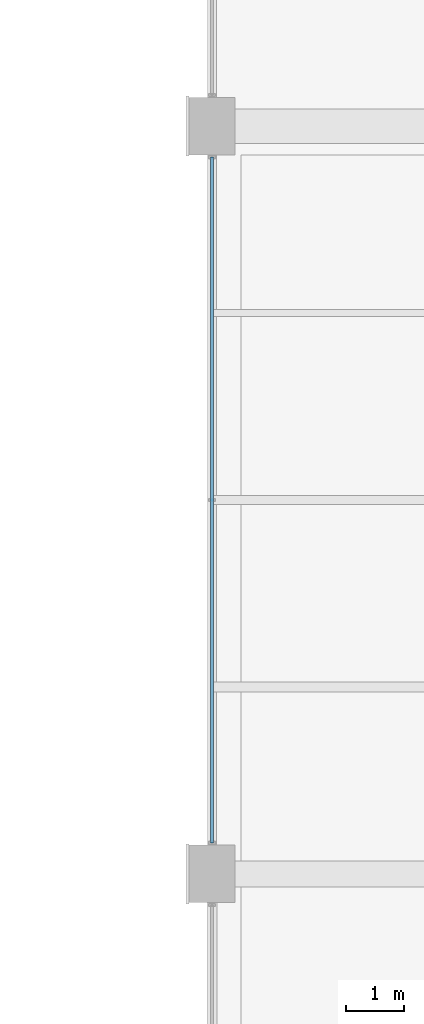
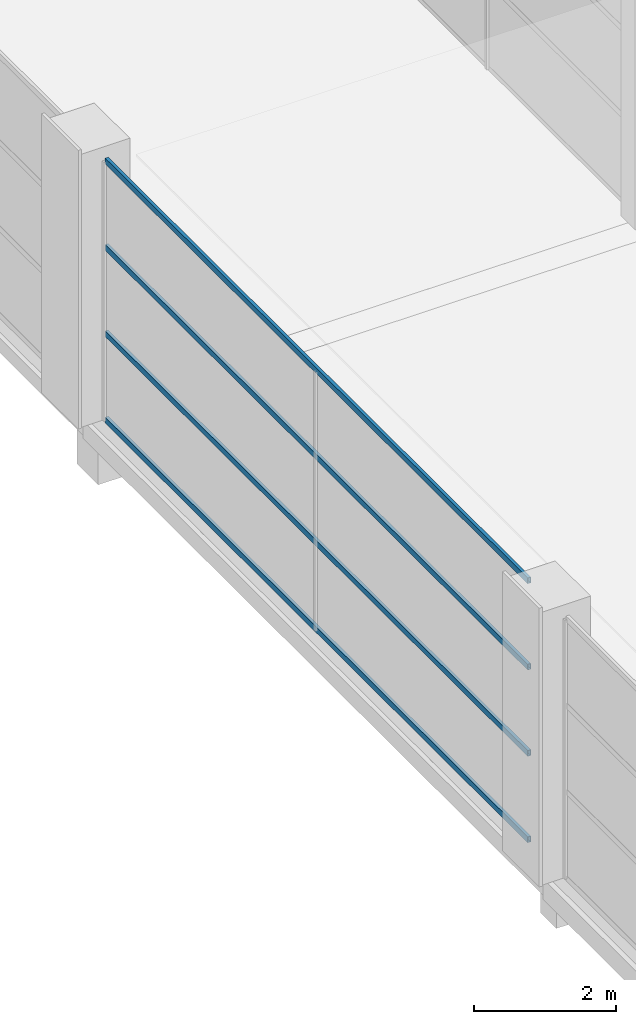
# One storey, part 52 of 112: 4 members, 1 element without a shape of its own.
"""IFC4 building model written with IfcOpenShell, lengths in metres."""

from ifc_helpers import new_model, si_unit, direction, frame, origin, origin_2d, place, context, subcontext, project, spatial, hollow_rectangle, extrude, material, material_profile, profile_set, type_object, element, aggregate, save


model = new_model("IFC4")

# Units and contexts
model_context = context("Model", 3, precision=1e-05, world=origin(), true_north=direction((0.0, 1.0)))
body_context = subcontext(model_context, "Body", "Model", "MODEL_VIEW")
ifc_project = project(units=[si_unit("LENGTHUNIT", "METRE"), si_unit("AREAUNIT", "SQUARE_METRE"), si_unit("VOLUMEUNIT", "CUBIC_METRE"), si_unit("PLANEANGLEUNIT", "RADIAN"), si_unit("MASSUNIT", "GRAM", prefix="KILO")], contexts=[model_context])

# Site, building, storey
site_placement = place(None, origin())
site = spatial("IfcSite", under=ifc_project, at=site_placement, CompositionType="ELEMENT")
building_placement = place(site_placement, origin())
building = spatial("IfcBuilding", under=site, at=building_placement, Name="Solvikara Media Centre", CompositionType="ELEMENT")
storey_placement = place(building_placement, frame((0.0, 0.0, 5.39990234375)))
storey = spatial("IfcBuildingStorey", under=building, at=storey_placement, Name="L01", CompositionType="ELEMENT", Elevation=5.39990234375)

# Curtain wall, members
ifc_material = material(Name="Anodised aluminium EN AW-6063", Category="aluminium")
curtain_wall_type = type_object("IfcCurtainWallType", Name="CW-12", PredefinedType="NOTDEFINED", material=ifc_material)
curtain_wall_placement = place(storey_placement, origin())
curtain_wall = element("IfcCurtainWall", 1, at=curtain_wall_placement, inside=storey, type_object=curtain_wall_type, Name="CW-L01-V2W-S2", PredefinedType="NOTDEFINED")
ifc_material_profile = material_profile(ifc_material, hollow_rectangle(XDim=0.050048828125, YDim=0.10009765625, WallThickness=0.0029296875, at=origin_2d()), Name="ALU-T 50x100x3")
ifc_profile_set = profile_set([ifc_material_profile], Name="Anodised aluminium EN AW-6063")
member_type = type_object("IfcMemberType", Name="MF-12", PredefinedType="USERDEFINED", material=ifc_profile_set)
member_1_placement = place(storey_placement, frame((127.5, 59.5400390625, 0.02001953125), z_axis=(0.0, 1.0, 0.0), x_axis=(-1.0, 0.0, 0.0)))
member_1 = element("IfcMember", 2, at=member_1_placement, type_object=member_type, Name="CW-L01-V2W-S2-T00", ObjectType="TRANSOM", PredefinedType="USERDEFINED", context=body_context, shape_type="SweptSolid", body=[
    extrude(hollow_rectangle(XDim=0.050048828125, YDim=0.10009765625, WallThickness=0.0029296875, at=origin_2d()), origin(), (0.0, 0.0, 1.0), 11.919921875),
])
member_2_placement = place(storey_placement, frame((127.5, 59.5400390625, 1.507080078125), z_axis=(0.0, 1.0, 0.0), x_axis=(-1.0, 0.0, 0.0)))
member_2 = element("IfcMember", 3, at=member_2_placement, type_object=member_type, Name="CW-L01-V2W-S2-T01", ObjectType="TRANSOM", PredefinedType="USERDEFINED", context=body_context, shape_type="SweptSolid", body=[
    extrude(hollow_rectangle(XDim=0.050048828125, YDim=0.10009765625, WallThickness=0.0029296875, at=origin_2d()), origin(), (0.0, 0.0, 1.0), 11.919921875),
])
member_3_placement = place(storey_placement, frame((127.5, 59.5400390625, 2.9931640625), z_axis=(0.0, 1.0, 0.0), x_axis=(-1.0, 0.0, 0.0)))
member_3 = element("IfcMember", 4, at=member_3_placement, type_object=member_type, Name="CW-L01-V2W-S2-T02", ObjectType="TRANSOM", PredefinedType="USERDEFINED", context=body_context, shape_type="SweptSolid", body=[
    extrude(hollow_rectangle(XDim=0.050048828125, YDim=0.10009765625, WallThickness=0.0029296875, at=origin_2d()), origin(), (0.0, 0.0, 1.0), 11.919921875),
])
member_4_placement = place(storey_placement, frame((127.5, 59.5400390625, 4.47998046875), z_axis=(0.0, 1.0, 0.0), x_axis=(-1.0, 0.0, 0.0)))
member_4 = element("IfcMember", 5, at=member_4_placement, type_object=member_type, Name="CW-L01-V2W-S2-T03", ObjectType="TRANSOM", PredefinedType="USERDEFINED", context=body_context, shape_type="SweptSolid", body=[
    extrude(hollow_rectangle(XDim=0.050048828125, YDim=0.10009765625, WallThickness=0.0029296875, at=origin_2d()), origin(), (0.0, 0.0, 1.0), 11.919921875),
])
aggregate(curtain_wall, [member_1, member_2, member_3, member_4])

save(model, "model.ifc")
